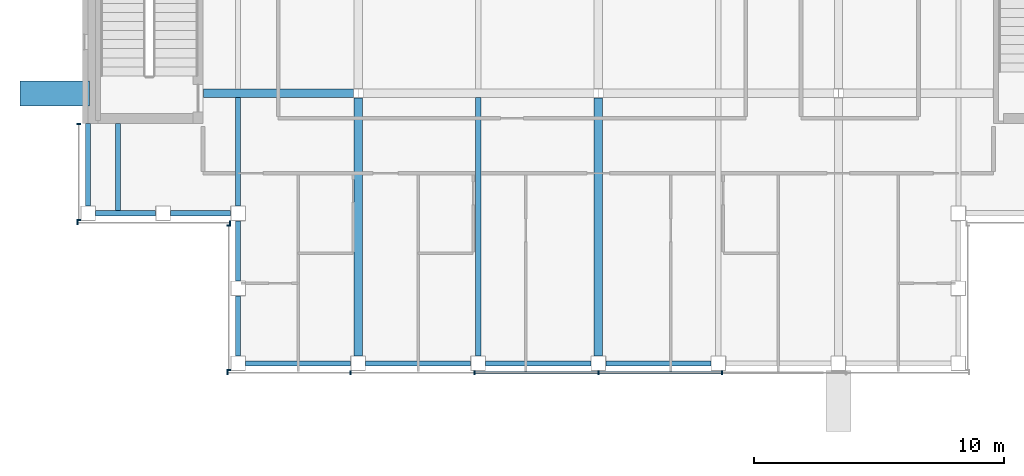
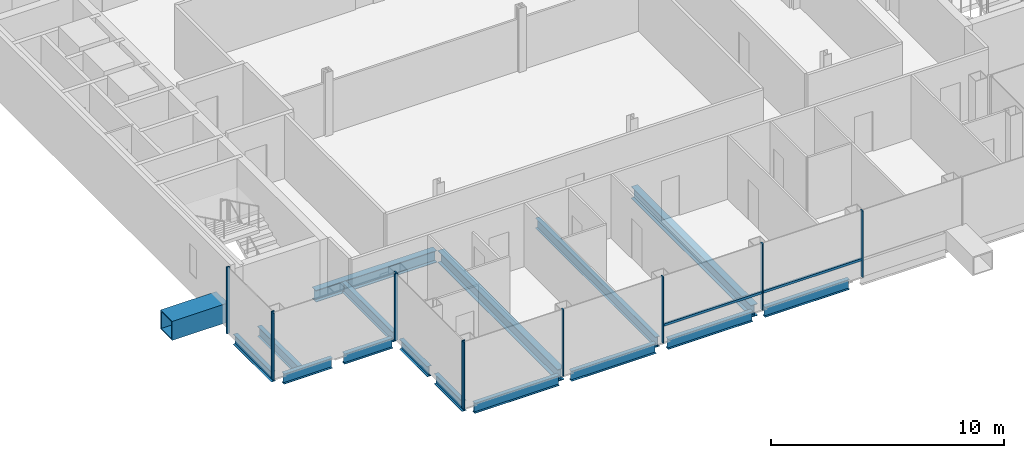
# One storey, part 3 of 15: 16 beams, 13 members, 4 elements without a shape of their own.
"""IFC4 building model written with IfcOpenShell, lengths in metres."""

from ifc_helpers import new_model, si_unit, direction, frame, origin, origin_2d, place, context, subcontext, project, spatial, rectangle, hollow_rectangle, i_section, extrude, material, material_profile, profile_set, type_object, element, aggregate, save


model = new_model("IFC4")

# Units and contexts
model_context = context("Model", 3, precision=1e-05, world=origin(), true_north=direction((0.0, 1.0)))
body_context = subcontext(model_context, "Body", "Model", "MODEL_VIEW")
ifc_project = project(units=[si_unit("LENGTHUNIT", "METRE"), si_unit("AREAUNIT", "SQUARE_METRE"), si_unit("VOLUMEUNIT", "CUBIC_METRE"), si_unit("PLANEANGLEUNIT", "RADIAN"), si_unit("MASSUNIT", "GRAM", prefix="KILO")], contexts=[model_context])

# Site, building, storey
site_placement = place(None, origin())
site = spatial("IfcSite", under=ifc_project, at=site_placement, CompositionType="ELEMENT")
building_placement = place(site_placement, origin())
building = spatial("IfcBuilding", under=site, at=building_placement, Name="Cobrizo Arcos Hotel Tower", CompositionType="ELEMENT")
storey_placement = place(building_placement, frame((0.0, 0.0, 258.5)))
storey = spatial("IfcBuildingStorey", under=building, at=storey_placement, Name="L68", CompositionType="ELEMENT", Elevation=258.5)

# Beam
ifc_material_1 = material(Name="Steel ASTM A572 Grade 50", Category="steel")
ifc_material_profile_1 = material_profile(ifc_material_1, hollow_rectangle(XDim=1.0, YDim=1.0, WallThickness=0.06005859375, at=origin_2d()), Name="BOX 1000X1000X60")
ifc_profile_set_1 = profile_set([ifc_material_profile_1], Name="Steel ASTM A572 Grade 50")
beam_type_1 = type_object("IfcBeamType", Name="BOX 1000X1000X60 brace connector strut", PredefinedType="BEAM", material=ifc_profile_set_1)
beam_1_placement = place(storey_placement, frame((-20.35009765625, -9.60009765625, 0.5), z_axis=(-1.0, 0.0, 0.0), x_axis=(0.0, -1.0, 0.0)))
element("IfcBeam", 1, at=beam_1_placement, inside=storey, type_object=beam_type_1, Name="Perimeter brace stub BS1, zone Z5, west face, offset -9.60 m, L68", PredefinedType="BEAM", context=body_context, shape_type="SweptSolid", body=[
    extrude(hollow_rectangle(XDim=1.0, YDim=1.0, WallThickness=0.06005859375, at=origin_2d()), origin(), (0.0, 0.0, 1.0), 2.77001953125),
])

# Curtain wall, members
ifc_material_2 = material(Name="Aluminium 6063-T6 anodised bronze", Category="aluminium")
curtain_wall_type = type_object("IfcCurtainWallType", Name="CW-A guest facade", PredefinedType="NOTDEFINED", material=ifc_material_2)
curtain_wall_1_placement = place(storey_placement, origin())
curtain_wall_1 = element("IfcCurtainWall", 2, at=curtain_wall_1_placement, inside=storey, type_object=curtain_wall_type, Name="CW-A L68 S face", PredefinedType="NOTDEFINED")
ifc_material_profile_2 = material_profile(ifc_material_2, rectangle(XDim=0.14990234375, YDim=0.06005859375, at=origin_2d()), Name="CW-A mullion 150x60")
ifc_profile_set_2 = profile_set([ifc_material_profile_2], Name="Aluminium 6063-T6 anodised bronze")
member_type_1 = type_object("IfcMemberType", Name="CW-A mullion 150x60", PredefinedType="MULLION", material=ifc_profile_set_2)
member_1_placement = place(storey_placement, frame((-14.820068359375, -20.77490234375, 0.0), z_axis=(0.0, 0.0, 1.0), x_axis=(0.0, -1.0, 0.0)))
member_1 = element("IfcMember", 3, at=member_1_placement, type_object=member_type_1, Name="CW-A mullion 1", PredefinedType="MULLION", context=body_context, shape_type="SweptSolid", body=[
    extrude(rectangle(XDim=0.14990234375, YDim=0.06005859375, at=origin_2d()), origin(), (0.0, 0.0, 1.0), 3.5),
])
member_2_placement = place(storey_placement, frame((-9.89990234375, -20.77490234375, 0.0), z_axis=(0.0, 0.0, 1.0), x_axis=(0.0, -1.0, 0.0)))
member_2 = element("IfcMember", 4, at=member_2_placement, type_object=member_type_1, Name="CW-A mullion 2", PredefinedType="MULLION", context=body_context, shape_type="SweptSolid", body=[
    extrude(rectangle(XDim=0.14990234375, YDim=0.06005859375, at=origin_2d()), origin(), (0.0, 0.0, 1.0), 3.5),
])
member_3_placement = place(storey_placement, frame((-4.949951171875, -20.77490234375, 0.0), z_axis=(0.0, 0.0, 1.0), x_axis=(0.0, -1.0, 0.0)))
member_3 = element("IfcMember", 5, at=member_3_placement, type_object=member_type_1, Name="CW-A mullion 3", PredefinedType="MULLION", context=body_context, shape_type="SweptSolid", body=[
    extrude(rectangle(XDim=0.14990234375, YDim=0.06005859375, at=origin_2d()), origin(), (0.0, 0.0, 1.0), 3.5),
])
member_4_placement = place(storey_placement, frame((0.0, -20.77490234375, 0.0), z_axis=(0.0, 0.0, 1.0), x_axis=(0.0, -1.0, 0.0)))
member_4 = element("IfcMember", 6, at=member_4_placement, type_object=member_type_1, Name="CW-A mullion 4", PredefinedType="MULLION", context=body_context, shape_type="SweptSolid", body=[
    extrude(rectangle(XDim=0.14990234375, YDim=0.06005859375, at=origin_2d()), origin(), (0.0, 0.0, 1.0), 3.5),
])
member_5_placement = place(storey_placement, frame((4.949951171875, -20.77490234375, 0.0), z_axis=(0.0, 0.0, 1.0), x_axis=(0.0, -1.0, 0.0)))
member_5 = element("IfcMember", 7, at=member_5_placement, type_object=member_type_1, Name="CW-A mullion 5", PredefinedType="MULLION", context=body_context, shape_type="SweptSolid", body=[
    extrude(rectangle(XDim=0.14990234375, YDim=0.06005859375, at=origin_2d()), origin(), (0.0, 0.0, 1.0), 3.5),
])

curtain_wall_2_placement = place(storey_placement, origin())
curtain_wall_2 = element("IfcCurtainWall", 8, at=curtain_wall_2_placement, inside=storey, type_object=curtain_wall_type, Name="CW-A L68 W face", PredefinedType="NOTDEFINED")
member_6_placement = place(storey_placement, frame((-20.77490234375, -10.830078125, 0.0), z_axis=(0.0, 0.0, 1.0), x_axis=(-1.0, 0.0, 0.0)))
member_6 = element("IfcMember", 9, at=member_6_placement, type_object=member_type_1, Name="CW-A mullion 1", PredefinedType="MULLION", context=body_context, shape_type="SweptSolid", body=[
    extrude(rectangle(XDim=0.14990234375, YDim=0.06005859375, at=origin_2d()), origin(), (0.0, 0.0, 1.0), 3.5),
])
member_7_placement = place(storey_placement, frame((-20.77490234375, -14.669921875, 0.0), z_axis=(0.0, 0.0, 1.0), x_axis=(-1.0, 0.0, 0.0)))
member_7 = element("IfcMember", 10, at=member_7_placement, type_object=member_type_1, Name="CW-A mullion 2", PredefinedType="MULLION", context=body_context, shape_type="SweptSolid", body=[
    extrude(rectangle(XDim=0.14990234375, YDim=0.06005859375, at=origin_2d()), origin(), (0.0, 0.0, 1.0), 3.5),
])
aggregate(curtain_wall_2, [member_6, member_7])

curtain_wall_3_placement = place(storey_placement, origin())
curtain_wall_3 = element("IfcCurtainWall", 11, at=curtain_wall_3_placement, inside=storey, type_object=curtain_wall_type, Name="CW-A L68 S face", PredefinedType="NOTDEFINED")
member_8_placement = place(storey_placement, frame((-20.820068359375, -14.77490234375, 0.0), z_axis=(0.0, 0.0, 1.0), x_axis=(0.0, -1.0, 0.0)))
member_8 = element("IfcMember", 12, at=member_8_placement, type_object=member_type_1, Name="CW-A mullion 1", PredefinedType="MULLION", context=body_context, shape_type="SweptSolid", body=[
    extrude(rectangle(XDim=0.14990234375, YDim=0.06005859375, at=origin_2d()), origin(), (0.0, 0.0, 1.0), 3.5),
])
member_9_placement = place(storey_placement, frame((-14.72998046875, -14.77490234375, 0.0), z_axis=(0.0, 0.0, 1.0), x_axis=(0.0, -1.0, 0.0)))
member_9 = element("IfcMember", 13, at=member_9_placement, type_object=member_type_1, Name="CW-A mullion 2", PredefinedType="MULLION", context=body_context, shape_type="SweptSolid", body=[
    extrude(rectangle(XDim=0.14990234375, YDim=0.06005859375, at=origin_2d()), origin(), (0.0, 0.0, 1.0), 3.5),
])
aggregate(curtain_wall_3, [member_8, member_9])

curtain_wall_4_placement = place(storey_placement, origin())
curtain_wall_4 = element("IfcCurtainWall", 14, at=curtain_wall_4_placement, inside=storey, type_object=curtain_wall_type, Name="CW-A L68 W face", PredefinedType="NOTDEFINED")
member_10_placement = place(storey_placement, frame((-14.77490234375, -14.8798828125, 0.0), z_axis=(0.0, 0.0, 1.0), x_axis=(-1.0, 0.0, 0.0)))
member_10 = element("IfcMember", 15, at=member_10_placement, type_object=member_type_1, Name="CW-A mullion 1", PredefinedType="MULLION", context=body_context, shape_type="SweptSolid", body=[
    extrude(rectangle(XDim=0.14990234375, YDim=0.06005859375, at=origin_2d()), origin(), (0.0, 0.0, 1.0), 3.5),
])
member_11_placement = place(storey_placement, frame((-14.77490234375, -20.669921875, 0.0), z_axis=(0.0, 0.0, 1.0), x_axis=(-1.0, 0.0, 0.0)))
member_11 = element("IfcMember", 16, at=member_11_placement, type_object=member_type_1, Name="CW-A mullion 2", PredefinedType="MULLION", context=body_context, shape_type="SweptSolid", body=[
    extrude(rectangle(XDim=0.14990234375, YDim=0.06005859375, at=origin_2d()), origin(), (0.0, 0.0, 1.0), 3.5),
])
aggregate(curtain_wall_4, [member_10, member_11])

# Member
ifc_material_profile_3 = material_profile(ifc_material_2, rectangle(XDim=0.10009765625, YDim=0.1201171875, at=origin_2d()), Name="CW-A transom 120x100")
ifc_profile_set_3 = profile_set([ifc_material_profile_3], Name="Aluminium 6063-T6 anodised bronze")
member_type_2 = type_object("IfcMemberType", Name="CW-A transom 120x100", PredefinedType="USERDEFINED", material=ifc_profile_set_3)
member_12_placement = place(storey_placement, frame((-4.919921875, -20.77490234375, 0.929931640625), z_axis=(1.0, 0.0, 0.0), x_axis=(0.0, 1.0, 0.0)))
member_12 = element("IfcMember", 17, at=member_12_placement, type_object=member_type_2, Name="CW-A transom 2134", ObjectType="TRANSOM", PredefinedType="USERDEFINED", context=body_context, shape_type="SweptSolid", body=[
    extrude(rectangle(XDim=0.10009765625, YDim=0.1201171875, at=origin_2d()), origin(), (0.0, 0.0, 1.0), 4.889892578125),
])

member_13_placement = place(storey_placement, frame((0.030029296875, -20.77490234375, 0.929931640625), z_axis=(1.0, 0.0, 0.0), x_axis=(0.0, 1.0, 0.0)))
member_13 = element("IfcMember", 18, at=member_13_placement, type_object=member_type_2, Name="CW-A transom 2135", ObjectType="TRANSOM", PredefinedType="USERDEFINED", context=body_context, shape_type="SweptSolid", body=[
    extrude(rectangle(XDim=0.10009765625, YDim=0.1201171875, at=origin_2d()), origin(), (0.0, 0.0, 1.0), 4.889892578125),
])

aggregate(curtain_wall_1, [member_1, member_2, member_3, member_4, member_5, member_12, member_13])

# Beams
ifc_material_3 = material(Name="Steel ASTM A992 Grade 50", Category="steel")
ifc_material_profile_4 = material_profile(ifc_material_3, i_section(OverallWidth=0.209228515625, OverallDepth=0.533447265625, WebThickness=0.01025390625, FlangeThickness=0.015625, at=origin_2d()), Name="W21X62")
ifc_profile_set_4 = profile_set([ifc_material_profile_4], Name="Steel ASTM A992 Grade 50")
beam_type_2 = type_object("IfcBeamType", Name="W21X62 joist", PredefinedType="JOIST", material=ifc_profile_set_4)
beam_2_placement = place(storey_placement, frame((-19.199951171875, -14.31005859375, -0.416748046875), z_axis=(0.0, 1.0, 0.0), x_axis=(-1.0, 0.0, 0.0)))
element("IfcBeam", 19, at=beam_2_placement, inside=storey, type_object=beam_type_2, Name="Floor joist J1, L68, no. 001", PredefinedType="JOIST", context=body_context, shape_type="SweptSolid", body=[
    extrude(i_section(OverallWidth=0.209228515625, OverallDepth=0.533447265625, WebThickness=0.01025390625, FlangeThickness=0.015625, at=origin_2d()), origin(), (0.0, 0.0, 1.0), 3.5),
])
beam_3_placement = place(storey_placement, frame((-14.39990234375, -14.10009765625, -0.416748046875), z_axis=(0.0, 1.0, 0.0), x_axis=(-1.0, 0.0, 0.0)))
element("IfcBeam", 20, at=beam_3_placement, inside=storey, type_object=beam_type_2, Name="Floor joist J1, L68, no. 003", PredefinedType="JOIST", context=body_context, shape_type="SweptSolid", body=[
    extrude(i_section(OverallWidth=0.209228515625, OverallDepth=0.533447265625, WebThickness=0.01025390625, FlangeThickness=0.015625, at=origin_2d()), origin(), (0.0, 0.0, 1.0), 4.336181640625),
])
beam_4_placement = place(storey_placement, frame((-4.800048828125, -20.10009765625, -0.416748046875), z_axis=(0.0, 1.0, 0.0), x_axis=(-1.0, 0.0, 0.0)))
element("IfcBeam", 21, at=beam_4_placement, inside=storey, type_object=beam_type_2, Name="Floor joist J1, L68, no. 007", PredefinedType="JOIST", context=body_context, shape_type="SweptSolid", body=[
    extrude(i_section(OverallWidth=0.209228515625, OverallDepth=0.533447265625, WebThickness=0.01025390625, FlangeThickness=0.015625, at=origin_2d()), origin(), (0.0, 0.0, 1.0), 10.336181640625),
])
ifc_material_profile_5 = material_profile(ifc_material_3, i_section(OverallWidth=0.209228515625, OverallDepth=0.533447265625, WebThickness=0.01025390625, FlangeThickness=0.015625, at=origin_2d()), Name="W21X62")
ifc_profile_set_5 = profile_set([ifc_material_profile_5], Name="Steel ASTM A992 Grade 50")
beam_type_3 = type_object("IfcBeamType", Name="W21X62 spandrel", PredefinedType="SPANDREL", material=ifc_profile_set_5)
beam_5_placement = place(storey_placement, frame((-14.10009765625, -20.39990234375, -0.416748046875), z_axis=(1.0, 0.0, 0.0), x_axis=(0.0, 1.0, 0.0)))
element("IfcBeam", 22, at=beam_5_placement, inside=storey, type_object=beam_type_3, Name="Spandrel beam W21X62, L68, no. 001", PredefinedType="SPANDREL", context=body_context, shape_type="SweptSolid", body=[
    extrude(i_section(OverallWidth=0.209228515625, OverallDepth=0.533447265625, WebThickness=0.01025390625, FlangeThickness=0.015625, at=origin_2d()), origin(), (0.0, 0.0, 1.0), 4.2001953125),
])
for number, where, z_axis, x_axis, name in (
    (23, (-9.300048828125, -20.39990234375, -0.416748046875), (1.0, 0.0, 0.0), (0.0, 1.0, 0.0), "Spandrel beam W21X62, L68, no. 002"),
    (24, (-4.5, -20.39990234375, -0.416748046875), (1.0, 0.0, 0.0), (0.0, 1.0, 0.0), "Spandrel beam W21X62, L68, no. 003"),
    (25, (0.300048828125, -20.39990234375, -0.416748046875), (1.0, 0.0, 0.0), (0.0, 1.0, 0.0), "Spandrel beam W21X62, L68, no. 004"),
):
    element("IfcBeam", number, at=place(storey_placement, frame(where, z_axis=z_axis, x_axis=x_axis)), inside=storey, type_object=beam_type_3, Name=name, PredefinedType="SPANDREL", context=body_context, shape_type="SweptSolid", body=[
        extrude(i_section(OverallWidth=0.209228515625, OverallDepth=0.533447265625, WebThickness=0.01025390625, FlangeThickness=0.015625, at=origin_2d()), origin(), (0.0, 0.0, 1.0), 4.199951171875),
    ])
beam_6_placement = place(storey_placement, frame((-20.39990234375, -10.81005859375, -0.416748046875), z_axis=(0.0, -1.0, 0.0), x_axis=(1.0, 0.0, 0.0)))
element("IfcBeam", 26, at=beam_6_placement, inside=storey, type_object=beam_type_3, Name="Spandrel beam W21X62, L68, no. 028", PredefinedType="SPANDREL", context=body_context, shape_type="SweptSolid", body=[
    extrude(i_section(OverallWidth=0.209228515625, OverallDepth=0.533447265625, WebThickness=0.01025390625, FlangeThickness=0.015625, at=origin_2d()), origin(), (0.0, 0.0, 1.0), 3.2900390625),
])
for number, where, z_axis, x_axis, name in (
    (27, (-20.10009765625, -14.39990234375, -0.416748046875), (1.0, 0.0, 0.0), (0.0, 1.0, 0.0), "Spandrel beam W21X62, L68, no. 029"),
    (28, (-17.10009765625, -14.39990234375, -0.416748046875), (1.0, 0.0, 0.0), (0.0, 1.0, 0.0), "Spandrel beam W21X62, L68, no. 030"),
    (29, (-14.39990234375, -14.699951171875, -0.416748046875), (0.0, -1.0, 0.0), (1.0, 0.0, 0.0), "Spandrel beam W21X62, L68, no. 031"),
    (30, (-14.39990234375, -17.699951171875, -0.416748046875), (0.0, -1.0, 0.0), (1.0, 0.0, 0.0), "Spandrel beam W21X62, L68, no. 032"),
):
    element("IfcBeam", number, at=place(storey_placement, frame(where, z_axis=z_axis, x_axis=x_axis)), inside=storey, type_object=beam_type_3, Name=name, PredefinedType="SPANDREL", context=body_context, shape_type="SweptSolid", body=[
        extrude(i_section(OverallWidth=0.209228515625, OverallDepth=0.533447265625, WebThickness=0.01025390625, FlangeThickness=0.015625, at=origin_2d()), origin(), (0.0, 0.0, 1.0), 2.400146484375),
    ])
ifc_material_profile_6 = material_profile(ifc_material_3, i_section(OverallWidth=0.32763671875, OverallDepth=0.622314453125, WebThickness=0.015380859375, FlangeThickness=0.0244140625, at=origin_2d()), Name="W24X131")
ifc_profile_set_6 = profile_set([ifc_material_profile_6], Name="Steel ASTM A992 Grade 50")
beam_type_4 = type_object("IfcBeamType", Name="W24X131 girder", PredefinedType="BEAM", material=ifc_profile_set_6)
beam_7_placement = place(storey_placement, frame((-15.7900390625, -9.60009765625, -0.461181640625), z_axis=(1.0, 0.0, 0.0), x_axis=(0.0, 1.0, 0.0)))
element("IfcBeam", 31, at=beam_7_placement, inside=storey, type_object=beam_type_4, Name="Floor girder G1, L68, no. 001", PredefinedType="BEAM", context=body_context, shape_type="SweptSolid", body=[
    extrude(i_section(OverallWidth=0.32763671875, OverallDepth=0.622314453125, WebThickness=0.015380859375, FlangeThickness=0.0244140625, at=origin_2d()), origin(), (0.0, 0.0, 1.0), 6.005859375),
])
for number, where, z_axis, x_axis, name in (
    (32, (-9.60009765625, -20.10009765625, -0.461181640625), (0.0, 1.0, 0.0), (-1.0, 0.0, 0.0), "Floor girder G1, L68, no. 013"),
    (33, (0.0, -20.10009765625, -0.461181640625), (0.0, 1.0, 0.0), (-1.0, 0.0, 0.0), "Floor girder G1, L68, no. 017"),
):
    element("IfcBeam", number, at=place(storey_placement, frame(where, z_axis=z_axis, x_axis=x_axis)), inside=storey, type_object=beam_type_4, Name=name, PredefinedType="BEAM", context=body_context, shape_type="SweptSolid", body=[
        extrude(i_section(OverallWidth=0.32763671875, OverallDepth=0.622314453125, WebThickness=0.015380859375, FlangeThickness=0.0244140625, at=origin_2d()), origin(), (0.0, 0.0, 1.0), 10.31591796875),
    ])

save(model, "model.ifc")
